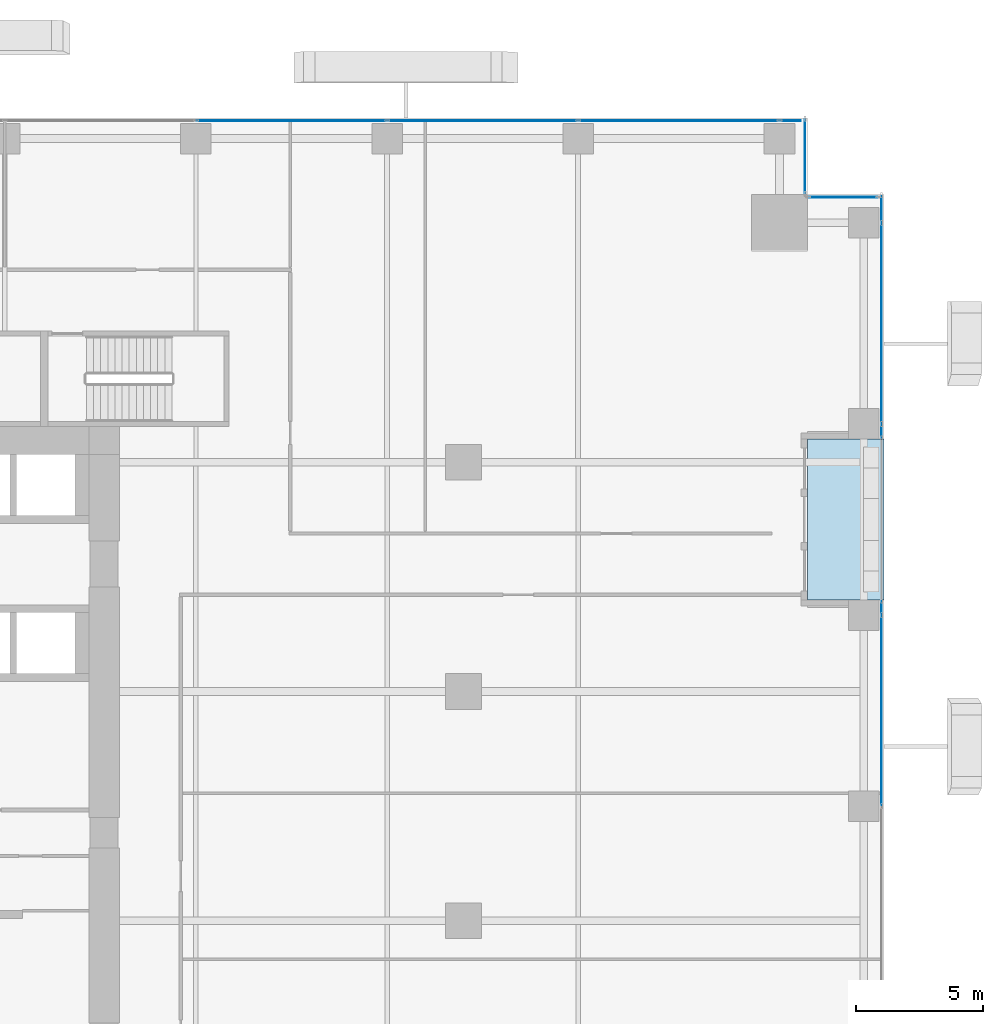
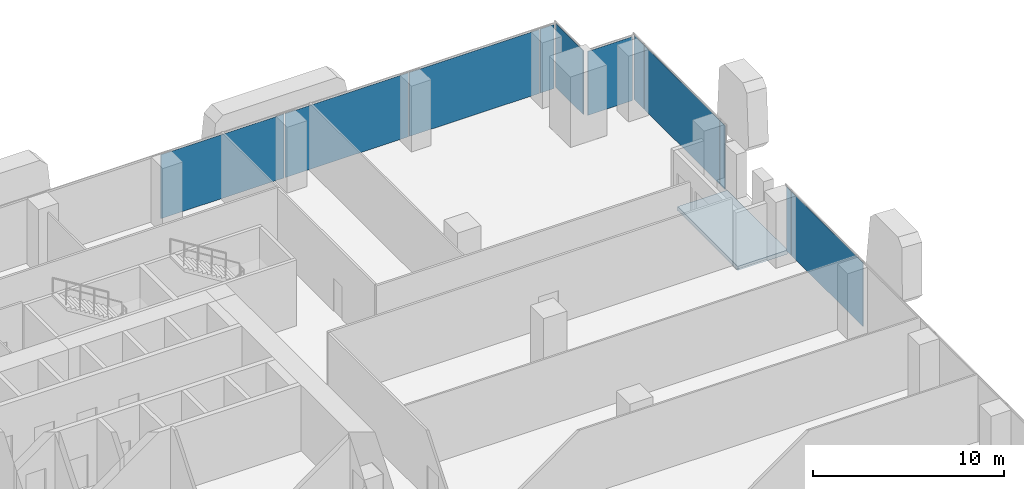
# One storey, part 26 of 35: 11 plates, 1 slab, 5 elements without a shape of their own.
"""IFC4 building model written with IfcOpenShell, lengths in metres."""

from ifc_helpers import new_model, si_unit, direction, frame, origin, origin_2d, place, context, subcontext, project, spatial, polyline, rectangle, outline, extrude, source, transform, mapped, material, layer, layer_set, type_object, element, aggregate, save


model = new_model("IFC4")

# Units and contexts
model_context = context("Model", 3, precision=1e-05, world=origin(), true_north=direction((0.0, 1.0)))
body_context = subcontext(model_context, "Body", "Model", "MODEL_VIEW")
ifc_project = project(units=[si_unit("LENGTHUNIT", "METRE"), si_unit("AREAUNIT", "SQUARE_METRE"), si_unit("VOLUMEUNIT", "CUBIC_METRE"), si_unit("PLANEANGLEUNIT", "RADIAN"), si_unit("MASSUNIT", "GRAM", prefix="KILO")], contexts=[model_context])

# Site, building, storey
site_placement = place(None, origin())
site = spatial("IfcSite", under=ifc_project, at=site_placement, CompositionType="ELEMENT")
building_placement = place(site_placement, origin())
building = spatial("IfcBuilding", under=site, at=building_placement, Name="Khomas Fold Tower", CompositionType="ELEMENT")
storey_placement = place(building_placement, frame((0.0, 0.0, 69.0)))
storey = spatial("IfcBuildingStorey", under=building, at=storey_placement, Name="L14", CompositionType="ELEMENT", Elevation=69.0)

# Curtain wall, plate
ifc_material_1 = material(Name="Aluminium framed double glazing", Category="aluminium")
curtain_wall_type = type_object("IfcCurtainWallType", Name="SK-Unitised clear-glass wall, growing floors CW1", PredefinedType="NOTDEFINED", material=ifc_material_1)
curtain_wall_1_placement = place(storey_placement, origin())
curtain_wall_1 = element("IfcCurtainWall", 1, at=curtain_wall_1_placement, inside=storey, type_object=curtain_wall_type, Name="CW1 run L14 06-0", PredefinedType="NOTDEFINED")
ifc_material_2 = material(Name="Clear double glazed unit")
ifc_layer_1 = layer(ifc_material_2, 0.031982421875)
ifc_layer_set_1 = layer_set([ifc_layer_1], Name="Clear double glazed unit")
plate_type = type_object("IfcPlateType", Name="SK-Unitised clear-glass wall, growing floors glass panel CW1-P", PredefinedType="CURTAIN_PANEL", material=ifc_layer_set_1)
shared_shape_1 = source(origin(), body_context, "Body", "SweptSolid", [
    extrude(rectangle(XDim=0.81005859375, YDim=0.031982421875, at=origin_2d()), origin(), (0.0, 0.0, 1.0), 4.080078125),
])
plate_1_placement = place(storey_placement, frame((50.3349609375, 53.89990234375, 0.0), z_axis=(0.0, 0.0, 1.0), x_axis=(-1.0, 0.0, 0.0)))
plate_1 = element("IfcPlate", 2, at=plate_1_placement, type_object=plate_type, Name="CW1 glass panel 1", PredefinedType="CURTAIN_PANEL", context=body_context, shape_type="MappedRepresentation", body=[
    mapped(shared_shape_1, transform((0.0, 0.0, 0.0))),
])

curtain_wall_2_placement = place(storey_placement, origin())
curtain_wall_2 = element("IfcCurtainWall", 3, at=curtain_wall_2_placement, inside=storey, type_object=curtain_wall_type, Name="CW1 run L14 03-1", PredefinedType="NOTDEFINED")
shared_shape_2 = source(origin(), body_context, "Body", "SweptSolid", [
    extrude(rectangle(XDim=7.840087890625, YDim=0.031982421875, at=origin_2d()), origin(), (0.0, 0.0, 1.0), 4.080078125),
])
plate_2_placement = place(storey_placement, frame((53.89990234375, 45.949951171875, 0.0), z_axis=(0.0, 0.0, 1.0), x_axis=(0.0, 1.0, 0.0)))
plate_2 = element("IfcPlate", 4, at=plate_2_placement, type_object=plate_type, Name="CW1 glass panel 2", PredefinedType="CURTAIN_PANEL", context=body_context, shape_type="MappedRepresentation", body=[
    mapped(shared_shape_2, transform((0.0, 0.0, 0.0))),
])

# Plate
plate_3_placement = place(storey_placement, frame((45.949951171875, 53.89990234375, 0.0), z_axis=(0.0, 0.0, 1.0), x_axis=(-1.0, 0.0, 0.0)))
plate_3 = element("IfcPlate", 5, at=plate_3_placement, type_object=plate_type, Name="CW1 glass panel 2", PredefinedType="CURTAIN_PANEL", context=body_context, shape_type="MappedRepresentation", body=[
    mapped(shared_shape_2, transform((0.0, 0.0, 0.0))),
])

# Curtain wall, plate
curtain_wall_3_placement = place(storey_placement, origin())
curtain_wall_3 = element("IfcCurtainWall", 6, at=curtain_wall_3_placement, inside=storey, type_object=curtain_wall_type, Name="CW1 run L14 03-0", PredefinedType="NOTDEFINED")
shared_shape_3 = source(origin(), body_context, "Body", "SweptSolid", [
    extrude(rectangle(XDim=7.43994140625, YDim=0.031982421875, at=origin_2d()), origin(), (0.0, 0.0, 1.0), 4.080078125),
])
plate_4_placement = place(storey_placement, frame((53.89990234375, 30.75, 0.0), z_axis=(0.0, 0.0, 1.0), x_axis=(0.0, 1.0, 0.0)))
plate_4 = element("IfcPlate", 7, at=plate_4_placement, type_object=plate_type, Name="CW1 glass panel 5", PredefinedType="CURTAIN_PANEL", context=body_context, shape_type="MappedRepresentation", body=[
    mapped(shared_shape_3, transform((0.0, 0.0, 0.0))),
])

# Plate
plate_5_placement = place(storey_placement, frame((38.25, 53.89990234375, 0.0), z_axis=(0.0, 0.0, 1.0), x_axis=(-1.0, 0.0, 0.0)))
plate_5 = element("IfcPlate", 8, at=plate_5_placement, type_object=plate_type, Name="CW1 glass panel 3", PredefinedType="CURTAIN_PANEL", context=body_context, shape_type="MappedRepresentation", body=[
    mapped(shared_shape_3, transform((0.0, 0.0, 0.0))),
])

plate_6_placement = place(storey_placement, frame((30.75, 53.89990234375, 0.0), z_axis=(0.0, 0.0, 1.0), x_axis=(-1.0, 0.0, 0.0)))
plate_6 = element("IfcPlate", 9, at=plate_6_placement, type_object=plate_type, Name="CW1 glass panel 4", PredefinedType="CURTAIN_PANEL", context=body_context, shape_type="MappedRepresentation", body=[
    mapped(shared_shape_3, transform((0.0, 0.0, 0.0))),
])

aggregate(curtain_wall_1, [plate_1, plate_3, plate_5, plate_6])

shared_shape_4 = source(origin(), body_context, "Body", "SweptSolid", [
    extrude(rectangle(XDim=1.010009765625, YDim=0.031982421875, at=origin_2d()), origin(), (0.0, 0.0, 1.0), 4.080078125),
])
plate_7_placement = place(storey_placement, frame((53.89990234375, 50.43505859375, 0.0), z_axis=(0.0, 0.0, 1.0), x_axis=(0.0, 1.0, 0.0)))
plate_7 = element("IfcPlate", 10, at=plate_7_placement, type_object=plate_type, Name="CW1 glass panel 3", PredefinedType="CURTAIN_PANEL", context=body_context, shape_type="MappedRepresentation", body=[
    mapped(shared_shape_4, transform((0.0, 0.0, 0.0))),
])

# Curtain wall, plate
curtain_wall_4_placement = place(storey_placement, origin())
curtain_wall_4 = element("IfcCurtainWall", 11, at=curtain_wall_4_placement, inside=storey, type_object=curtain_wall_type, Name="CW1 corner return L14 04", PredefinedType="NOTDEFINED")
shared_shape_5 = source(origin(), body_context, "Body", "SweptSolid", [
    extrude(rectangle(XDim=2.679931640625, YDim=0.031982421875, at=origin_2d()), origin(), (0.0, 0.0, 1.0), 4.080078125),
])
plate_8_placement = place(storey_placement, frame((52.39990234375, 50.89990234375, 0.0), z_axis=(0.0, 0.0, 1.0), x_axis=(-1.0, 0.0, 0.0)))
plate_8 = element("IfcPlate", 12, at=plate_8_placement, type_object=plate_type, Name="CW1 glass panel 1", PredefinedType="CURTAIN_PANEL", context=body_context, shape_type="MappedRepresentation", body=[
    mapped(shared_shape_5, transform((0.0, 0.0, 0.0))),
])
aggregate(curtain_wall_4, [plate_8])

curtain_wall_5_placement = place(storey_placement, origin())
curtain_wall_5 = element("IfcCurtainWall", 13, at=curtain_wall_5_placement, inside=storey, type_object=curtain_wall_type, Name="CW1 corner return L14 05", PredefinedType="NOTDEFINED")
shared_shape_6 = source(origin(), body_context, "Body", "SweptSolid", [
    extrude(rectangle(XDim=2.8798828125, YDim=0.031982421875, at=origin_2d()), origin(), (0.0, 0.0, 1.0), 4.080078125),
])
plate_9_placement = place(storey_placement, frame((50.89990234375, 52.5, 0.0), z_axis=(0.0, 0.0, 1.0), x_axis=(0.0, 1.0, 0.0)))
plate_9 = element("IfcPlate", 14, at=plate_9_placement, type_object=plate_type, Name="CW1 glass panel 1", PredefinedType="CURTAIN_PANEL", context=body_context, shape_type="MappedRepresentation", body=[
    mapped(shared_shape_6, transform((0.0, 0.0, 0.0))),
])
aggregate(curtain_wall_5, [plate_9])

# Plate
shared_shape_7 = source(origin(), body_context, "Body", "SweptSolid", [
    extrude(rectangle(XDim=0.510009765625, YDim=0.031982421875, at=origin_2d()), origin(), (0.0, 0.0, 1.0), 4.080078125),
])
plate_10_placement = place(storey_placement, frame((53.89990234375, 34.784912109375, 0.0), z_axis=(0.0, 0.0, 1.0), x_axis=(0.0, 1.0, 0.0)))
plate_10 = element("IfcPlate", 15, at=plate_10_placement, type_object=plate_type, Name="CW1 glass panel 6", PredefinedType="CURTAIN_PANEL", context=body_context, shape_type="MappedRepresentation", body=[
    mapped(shared_shape_7, transform((0.0, 0.0, 0.0))),
])

aggregate(curtain_wall_3, [plate_4, plate_10])

plate_11_placement = place(storey_placement, frame((53.89990234375, 41.715087890625, 0.0), z_axis=(0.0, 0.0, 1.0), x_axis=(0.0, 1.0, 0.0)))
plate_11 = element("IfcPlate", 16, at=plate_11_placement, type_object=plate_type, Name="CW1 glass panel 1", PredefinedType="CURTAIN_PANEL", context=body_context, shape_type="MappedRepresentation", body=[
    mapped(shared_shape_7, transform((0.0, 0.0, 0.0))),
])

aggregate(curtain_wall_2, [plate_11, plate_2, plate_7])

# Slab
ifc_material_3 = material(Name="Concrete C40/50", Category="concrete")
ifc_layer_2 = layer(ifc_material_3, 0.2548828125)
ifc_layer_set_2 = layer_set([ifc_layer_2], Name="Concrete C40/50")
slab_type = type_object("IfcSlabType", Name="BL-Balcony deck 255", PredefinedType="FLOOR", material=ifc_layer_set_2)
shared_shape_8 = source(origin(), body_context, "Body", "SweptSolid", [
    extrude(outline(polyline([(51.0, 35.10009765625), (54.0, 35.10009765625), (54.0, 41.39990234375), (51.0, 41.39990234375), (51.0, 35.10009765625)])), origin(), (0.0, 0.0, 1.0), 0.255126953125),
])
slab_placement = place(storey_placement, frame((0.0, 0.0, -0.300048828125)))
element("IfcSlab", 17, at=slab_placement, inside=storey, type_object=slab_type, Name="Balcony deck BAL-L14-E4", PredefinedType="FLOOR", context=body_context, shape_type="MappedRepresentation", body=[
    mapped(shared_shape_8, transform((0.0, 0.0, 0.0))),
])

save(model, "model.ifc")
